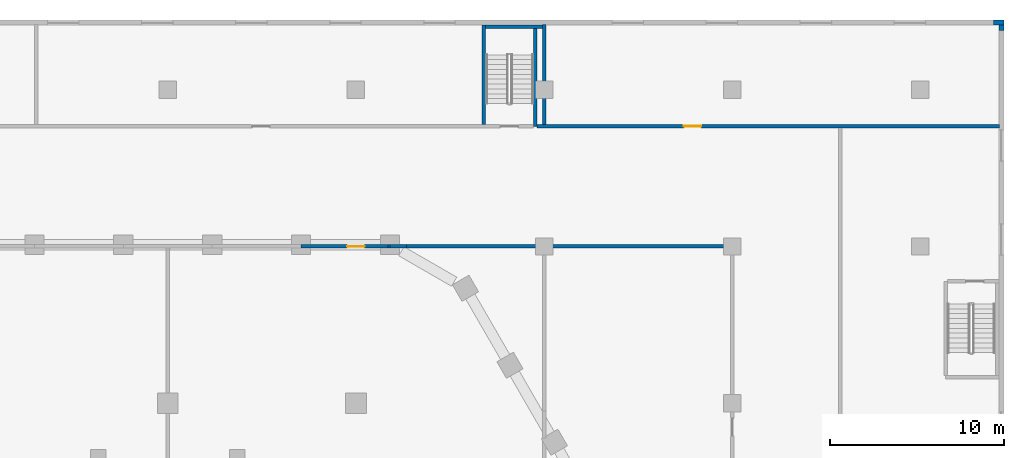
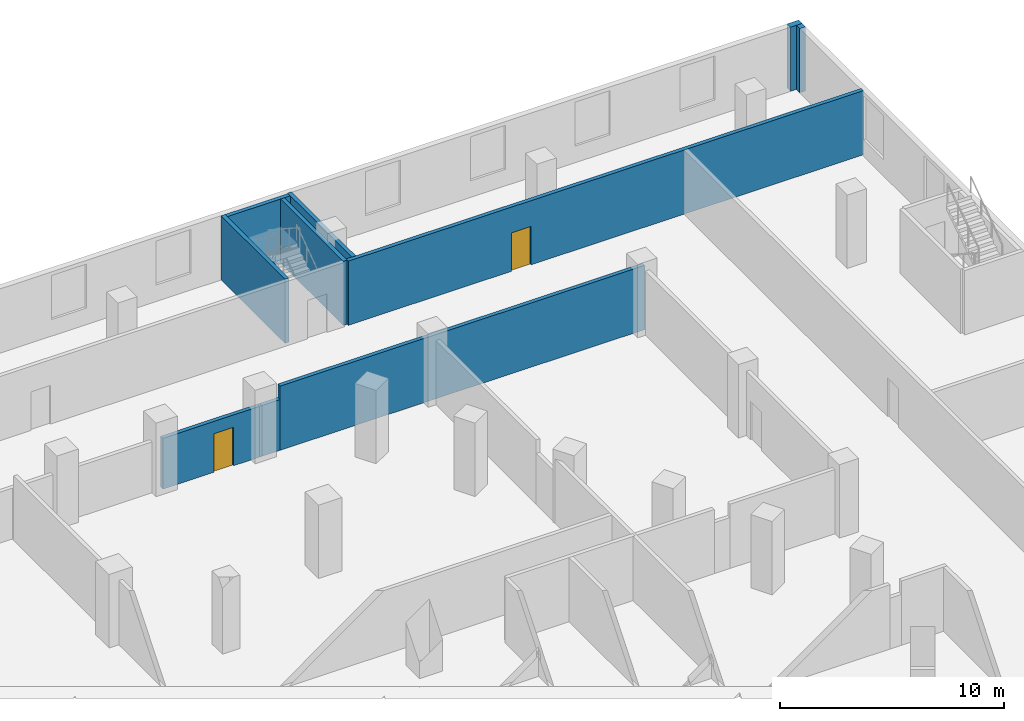
# One storey, part 21 of 45: 11 walls, 2 doors, 2 openings.
"""IFC4 building model written with IfcOpenShell, lengths in metres."""

from ifc_helpers import new_model, si_unit, direction, frame, frame_2d, origin, place, context, subcontext, project, spatial, rectangle, extrude, material, layer, layer_set, type_object, element, fill, save


model = new_model("IFC4")

# Units and contexts
model_context = context("Model", 3, precision=1e-05, world=origin(), true_north=direction((0.0, 1.0)))
body_context = subcontext(model_context, "Body", "Model", "MODEL_VIEW")
ifc_project = project(units=[si_unit("LENGTHUNIT", "METRE"), si_unit("AREAUNIT", "SQUARE_METRE"), si_unit("VOLUMEUNIT", "CUBIC_METRE"), si_unit("PLANEANGLEUNIT", "RADIAN"), si_unit("MASSUNIT", "GRAM", prefix="KILO")], contexts=[model_context])

# Site, building, storey
site_placement = place(None, origin())
site = spatial("IfcSite", under=ifc_project, at=site_placement, CompositionType="ELEMENT")
building_placement = place(site_placement, origin())
building = spatial("IfcBuilding", under=site, at=building_placement, Name="Beryl Residences", CompositionType="ELEMENT")
storey_placement = place(building_placement, frame((0.0, 0.0, 5.0)))
storey = spatial("IfcBuildingStorey", under=building, at=storey_placement, Name="L01", CompositionType="ELEMENT", Elevation=5.0)

# Walls
ifc_material_1 = material(Name="Composite metal panel with mineral wool insulation")
ifc_layer_1 = layer(ifc_material_1, 0.300048828125)
ifc_layer_set_1 = layer_set([ifc_layer_1], Name="ES1 pale metal composite panel wall 300 mm")
wall_type_1 = type_object("IfcWallType", Name="ES1 pale metal composite panel wall 300 mm", PredefinedType="SOLIDWALL", material=ifc_layer_set_1)
wall_1_placement = place(storey_placement, frame((47.85009765625, 39.39990234375, 0.0), z_axis=(0.0, 0.0, 1.0), x_axis=(0.0, 1.0, 0.0)))
element("IfcWall", 1, at=wall_1_placement, inside=storey, type_object=wall_type_1, Name="ES1 external wall L01 E 3", PredefinedType="SOLIDWALL", context=body_context, shape_type="SweptSolid", body=[
    extrude(rectangle(XDim=0.300048828125, YDim=0.300048828125, at=frame_2d((0.14990234375, 0.0))), origin(), (0.0, 0.0, 1.0), 3.5),
])
wall_2_placement = place(storey_placement, frame((48.0, 39.85009765625, 0.0), z_axis=(0.0, 0.0, 1.0), x_axis=(-1.0, 0.0, 0.0)))
element("IfcWall", 2, at=wall_2_placement, inside=storey, type_object=wall_type_1, Name="ES1 external wall L01 N 1", PredefinedType="SOLIDWALL", context=body_context, shape_type="SweptSolid", body=[
    extrude(rectangle(XDim=0.60009765625, YDim=0.300048828125, at=frame_2d((0.300048828125, 0.0))), origin(), (0.0, 0.0, 1.0), 3.5),
])

# Wall, opening, door
ifc_material_2 = material(Name="Double stud gypsum board wall")
ifc_layer_2 = layer(ifc_material_2, 0.199951171875)
ifc_layer_set_2 = layer_set([ifc_layer_2], Name="PT10 tenancy wall 200 mm")
wall_type_2 = type_object("IfcWallType", Name="PT10 tenancy wall 200 mm", PredefinedType="PARTITIONING", material=ifc_layer_set_2)
wall_3_placement = place(storey_placement, frame((7.655029296875, 27.0, 0.0), z_axis=(0.0, 0.0, 1.0), x_axis=(1.0, 0.0, 0.0)))
wall_3 = element("IfcWall", 3, at=wall_3_placement, inside=storey, type_object=wall_type_2, Name="Wall PT10 L01 025", PredefinedType="PARTITIONING", context=body_context, shape_type="SweptSolid", body=[
    extrude(rectangle(XDim=4.989013671875, YDim=0.199951171875, at=frame_2d((2.49462890625, 0.0))), origin(), (0.0, 0.0, 1.0), 2.77001953125),
])
opening_1_placement = place(wall_3_placement, frame((3.64501953125, 0.0, 0.0), z_axis=(0.0, 0.0, 1.0), x_axis=(-1.0, 0.0, 0.0)))
opening_1 = element("IfcOpeningElement", 4, at=opening_1_placement, cuts=wall_3, Name="Opening L01-17", PredefinedType="OPENING", context=body_context, shape_type="SweptSolid", body=[
    extrude(rectangle(XDim=1.0, YDim=2.10009765625, at=frame_2d((0.5, 1.050048828125))), frame((0.0, 0.10986328125, 0.0), z_axis=(0.0, -1.0, 0.0), x_axis=(1.0, 0.0, 0.0)), (0.0, 0.0, 1.0), 0.219970703125),
])
ifc_material_3 = material(Name="Timber door leaf", Category="wood")
door_type = type_object("IfcDoorType", Name="D9 corridor door 1000 x 2100 mm", OperationType="SINGLE_SWING_LEFT", PredefinedType="DOOR", material=ifc_material_3)
door_1_placement = place(opening_1_placement, origin())
door_1 = element("IfcDoor", 5, at=door_1_placement, inside=storey, type_object=door_type, Name="Door L01-17 L01 001", OperationType="SINGLE_SWING_RIGHT", OverallHeight=2.10009765625, OverallWidth=1.0, PredefinedType="DOOR", context=body_context, shape_type="SweptSolid", body=[
    extrude(rectangle(XDim=1.0, YDim=2.10009765625, at=frame_2d((0.5, 1.050048828125))), frame((0.0, 0.02490234375, 0.0), z_axis=(0.0, -1.0, 0.0), x_axis=(1.0, 0.0, 0.0)), (0.0, 0.0, 1.0), 0.050048828125),
])
fill(opening_1, door_1)

# Walls
wall_4_placement = place(storey_placement, frame((12.64404296875, 27.0, 0.0), z_axis=(0.0, 0.0, 1.0), x_axis=(1.0, 0.0, 0.0)))
element("IfcWall", 6, at=wall_4_placement, inside=storey, type_object=wall_type_2, Name="Wall PT10 L01 026", PredefinedType="PARTITIONING", context=body_context, shape_type="SweptSolid", body=[
    extrude(rectangle(XDim=0.114990234375, YDim=0.199951171875, at=frame_2d((0.0576171875, 0.0))), origin(), (0.0, 0.0, 1.0), 2.77001953125),
])
wall_5_placement = place(storey_placement, frame((12.759033203125, 27.0, 0.0), z_axis=(0.0, 0.0, 1.0), x_axis=(1.0, 0.0, 0.0)))
element("IfcWall", 7, at=wall_5_placement, inside=storey, type_object=wall_type_2, Name="Wall PT10 L01 027", PredefinedType="PARTITIONING", context=body_context, shape_type="SweptSolid", body=[
    extrude(rectangle(XDim=0.947021484375, YDim=0.199951171875, at=frame_2d((0.4736328125, 0.0))), origin(), (0.0, 0.0, 1.0), 2.77001953125),
])
wall_6_placement = place(storey_placement, frame((13.7060546875, 27.0, 0.0), z_axis=(0.0, 0.0, 1.0), x_axis=(1.0, 0.0, 0.0)))
element("IfcWall", 8, at=wall_6_placement, inside=storey, type_object=wall_type_2, Name="Wall PT10 L01 028", PredefinedType="PARTITIONING", context=body_context, shape_type="SweptSolid", body=[
    extrude(rectangle(XDim=18.7939453125, YDim=0.199951171875, at=frame_2d((9.39697265625, 0.0))), origin(), (0.0, 0.0, 1.0), 3.5),
])

# Wall, opening, door
wall_7_placement = place(storey_placement, frame((21.199951171875, 33.89990234375, 0.0), z_axis=(0.0, 0.0, 1.0), x_axis=(1.0, 0.0, 0.0)))
wall_7 = element("IfcWall", 9, at=wall_7_placement, inside=storey, type_object=wall_type_2, Name="Wall PT10 L01 030", PredefinedType="PARTITIONING", context=body_context, shape_type="SweptSolid", body=[
    extrude(rectangle(XDim=26.550048828125, YDim=0.199951171875, at=frame_2d((13.27490234375, 0.0))), origin(), (0.0, 0.0, 1.0), 3.5),
])
opening_2_placement = place(wall_7_placement, frame((8.4189453125, 0.0, 0.0)))
opening_2 = element("IfcOpeningElement", 10, at=opening_2_placement, cuts=wall_7, Name="Opening L01-10", PredefinedType="OPENING", context=body_context, shape_type="SweptSolid", body=[
    extrude(rectangle(XDim=1.0, YDim=2.10009765625, at=frame_2d((0.5, 1.050048828125))), frame((0.0, 0.10986328125, 0.0), z_axis=(0.0, -1.0, 0.0), x_axis=(1.0, 0.0, 0.0)), (0.0, 0.0, 1.0), 0.219970703125),
])
door_2_placement = place(opening_2_placement, origin())
door_2 = element("IfcDoor", 11, at=door_2_placement, inside=storey, type_object=door_type, Name="Door L01-10 L01 001", OperationType="SINGLE_SWING_RIGHT", OverallHeight=2.10009765625, OverallWidth=1.0, PredefinedType="DOOR", context=body_context, shape_type="SweptSolid", body=[
    extrude(rectangle(XDim=1.0, YDim=2.10009765625, at=frame_2d((0.5, 1.050048828125))), frame((0.0, 0.02490234375, 0.0), z_axis=(0.0, -1.0, 0.0), x_axis=(1.0, 0.0, 0.0)), (0.0, 0.0, 1.0), 0.050048828125),
])
fill(opening_2, door_2)

# Walls
wall_8_placement = place(storey_placement, frame((21.60009765625, 34.0, 0.0), z_axis=(0.0, 0.0, 1.0), x_axis=(0.0, 1.0, 0.0)))
element("IfcWall", 12, at=wall_8_placement, inside=storey, type_object=wall_type_2, Name="Wall PT10 L01 045", PredefinedType="PARTITIONING", context=body_context, shape_type="SweptSolid", body=[
    extrude(rectangle(XDim=5.75, YDim=0.199951171875, at=frame_2d((2.875, 0.0))), origin(), (0.0, 0.0, 1.0), 3.5),
])
ifc_material_4 = material(Name="Concrete C40/50", Category="concrete")
ifc_layer_3 = layer(ifc_material_4, 0.199951171875)
ifc_layer_set_3 = layer_set([ifc_layer_3], Name="PT5 stair enclosure wall 200 mm reinforced concrete C40/50")
wall_type_3 = type_object("IfcWallType", Name="PT5 stair enclosure wall 200 mm reinforced concrete C40/50", PredefinedType="SOLIDWALL", material=ifc_layer_set_3)
wall_9_placement = place(storey_placement, frame((18.14990234375, 34.0, 0.0), z_axis=(0.0, 0.0, 1.0), x_axis=(0.0, 1.0, 0.0)))
element("IfcWall", 13, at=wall_9_placement, inside=storey, type_object=wall_type_3, Name="Wall PT5 L01 019", PredefinedType="SOLIDWALL", context=body_context, shape_type="SweptSolid", body=[
    extrude(rectangle(XDim=5.699951171875, YDim=0.199951171875, at=frame_2d((2.85009765625, 0.0))), origin(), (0.0, 0.0, 1.0), 3.5),
])
wall_10_placement = place(storey_placement, frame((21.10009765625, 33.89990234375, 0.0), z_axis=(0.0, 0.0, 1.0), x_axis=(0.0, 1.0, 0.0)))
element("IfcWall", 14, at=wall_10_placement, inside=storey, type_object=wall_type_3, Name="Wall PT5 L01 020", PredefinedType="SOLIDWALL", context=body_context, shape_type="SweptSolid", body=[
    extrude(rectangle(XDim=5.800048828125, YDim=0.199951171875, at=frame_2d((2.89990234375, 0.0))), origin(), (0.0, 0.0, 1.0), 3.5),
])
wall_11_placement = place(storey_placement, frame((18.25, 39.60009765625, 0.0), z_axis=(0.0, 0.0, 1.0), x_axis=(1.0, 0.0, 0.0)))
element("IfcWall", 15, at=wall_11_placement, inside=storey, type_object=wall_type_3, Name="Wall PT5 L01 023", PredefinedType="SOLIDWALL", context=body_context, shape_type="SweptSolid", body=[
    extrude(rectangle(XDim=3.25, YDim=0.199951171875, at=frame_2d((1.625, 0.0))), origin(), (0.0, 0.0, 1.0), 3.5),
])

save(model, "model.ifc")
